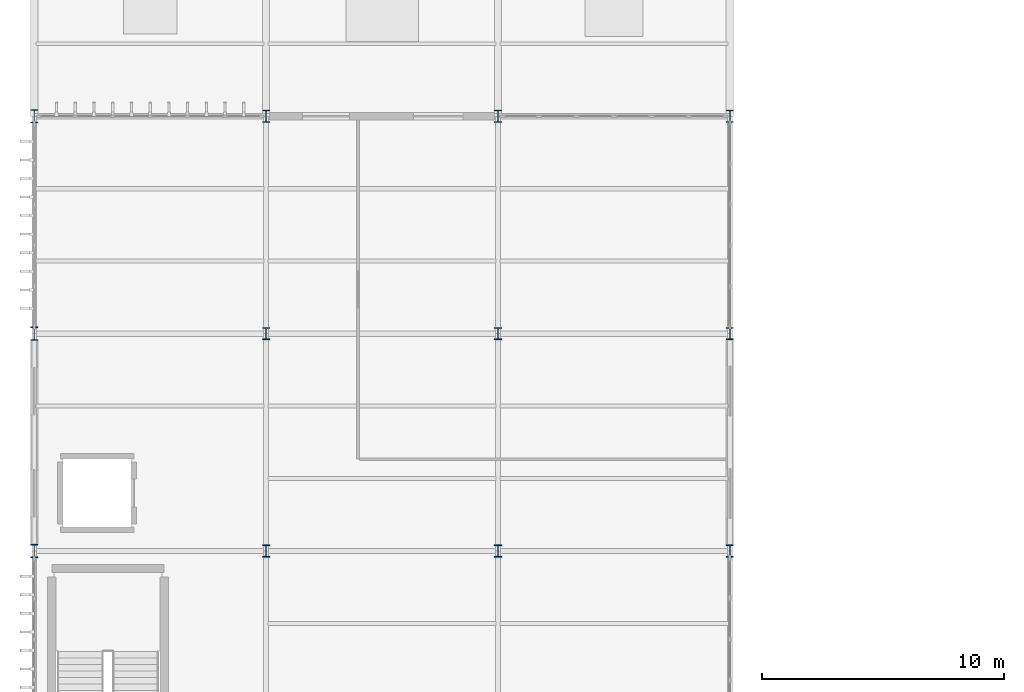
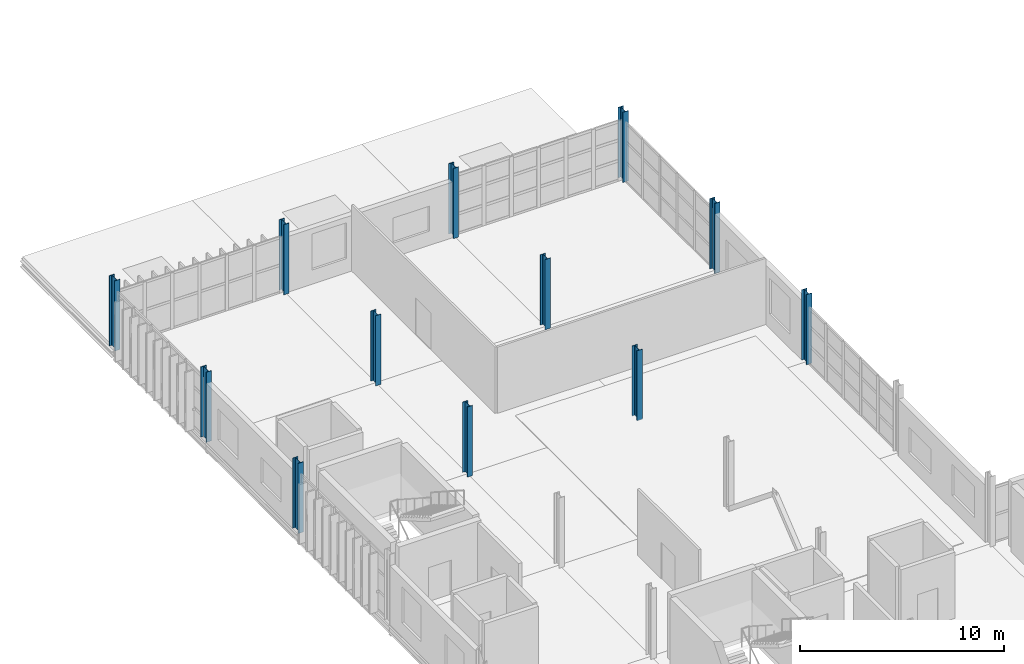
# One storey, part 3 of 52: 12 columns.
"""IFC4 building model written with IfcOpenShell, lengths in metres."""

from ifc_helpers import new_model, si_unit, direction, frame, origin, origin_2d, place, context, subcontext, project, spatial, i_section, extrude, material, material_profile, profile_set, type_object, element, save


model = new_model("IFC4")

# Units and contexts
model_context = context("Model", 3, precision=1e-05, world=origin(), true_north=direction((0.0, 1.0)))
body_context = subcontext(model_context, "Body", "Model", "MODEL_VIEW")
ifc_project = project(units=[si_unit("LENGTHUNIT", "METRE"), si_unit("AREAUNIT", "SQUARE_METRE"), si_unit("VOLUMEUNIT", "CUBIC_METRE"), si_unit("PLANEANGLEUNIT", "RADIAN"), si_unit("MASSUNIT", "GRAM", prefix="KILO")], contexts=[model_context])

# Site, building, storey
site_placement = place(None, origin())
site = spatial("IfcSite", under=ifc_project, at=site_placement, CompositionType="ELEMENT")
building_placement = place(site_placement, origin())
building = spatial("IfcBuilding", under=site, at=building_placement, Name="Zarnetskaya Central Station", CompositionType="ELEMENT")
storey_placement = place(building_placement, frame((0.0, 0.0, 14.39990234375)))
storey = spatial("IfcBuildingStorey", under=building, at=storey_placement, Name="L03", CompositionType="ELEMENT", Elevation=14.39990234375)

# Columns
ifc_material = material(Name="Steel S355", Category="steel")
ifc_material_profile_1 = material_profile(ifc_material, i_section(OverallWidth=0.300048828125, OverallDepth=0.550048828125, WebThickness=0.014892578125, FlangeThickness=0.029052734375, FilletRadius=0.027099609375, at=origin_2d()), Name="HEB 550")
ifc_profile_set_1 = profile_set([ifc_material_profile_1], Name="Steel S355")
column_type_1 = type_object("IfcColumnType", Name="COL-V5-MID-E", PredefinedType="COLUMN", material=ifc_profile_set_1)
for number, where, z_axis, x_axis, name in (
    (1, (0.0, 40.199951171875, 0.0), (0.0, 0.0, 1.0), (1.0, 0.0, 0.0), "Column A6 L03"),
    (2, (0.0, 49.199951171875, 0.0), (0.0, 0.0, 1.0), (1.0, 0.0, 0.0), "Column A7 L03"),
    (3, (0.0, 58.199951171875, 0.0), (0.0, 0.0, 1.0), (1.0, 0.0, 0.0), "Column A8 L03"),
):
    element("IfcColumn", number, at=place(storey_placement, frame(where, z_axis=z_axis, x_axis=x_axis)), inside=storey, type_object=column_type_1, Name=name, PredefinedType="COLUMN", context=body_context, shape_type="SweptSolid", body=[
        extrude(i_section(OverallWidth=0.300048828125, OverallDepth=0.550048828125, WebThickness=0.014892578125, FlangeThickness=0.029052734375, FilletRadius=0.027099609375, at=origin_2d()), origin(), (0.0, 0.0, 1.0), 4.2001953125),
    ])
ifc_material_profile_2 = material_profile(ifc_material, i_section(OverallWidth=0.300048828125, OverallDepth=0.5, WebThickness=0.014404296875, FlangeThickness=0.028076171875, FilletRadius=0.027099609375, at=origin_2d()), Name="HEB 500")
ifc_profile_set_2 = profile_set([ifc_material_profile_2], Name="Steel S355")
column_type_2 = type_object("IfcColumnType", Name="COL-V5-MID-I", PredefinedType="COLUMN", material=ifc_profile_set_2)
for number, where, z_axis, x_axis, name in (
    (4, (9.60009765625, 40.199951171875, 0.0), (0.0, 0.0, 1.0), (1.0, 0.0, 0.0), "Column B6 L03"),
    (5, (9.60009765625, 49.199951171875, 0.0), (0.0, 0.0, 1.0), (1.0, 0.0, 0.0), "Column B7 L03"),
    (6, (9.60009765625, 58.199951171875, 0.0), (0.0, 0.0, 1.0), (1.0, 0.0, 0.0), "Column B8 L03"),
    (7, (19.199951171875, 40.199951171875, 0.0), (0.0, 0.0, 1.0), (1.0, 0.0, 0.0), "Column C6 L03"),
    (8, (19.199951171875, 49.199951171875, 0.0), (0.0, 0.0, 1.0), (1.0, 0.0, 0.0), "Column C7 L03"),
    (9, (19.199951171875, 58.199951171875, 0.0), (0.0, 0.0, 1.0), (1.0, 0.0, 0.0), "Column C8 L03"),
    (10, (28.800048828125, 40.199951171875, 0.0), (0.0, 0.0, 1.0), (1.0, 0.0, 0.0), "Column D6 L03"),
    (11, (28.800048828125, 49.199951171875, 0.0), (0.0, 0.0, 1.0), (1.0, 0.0, 0.0), "Column D7 L03"),
    (12, (28.800048828125, 58.199951171875, 0.0), (0.0, 0.0, 1.0), (1.0, 0.0, 0.0), "Column D8 L03"),
):
    element("IfcColumn", number, at=place(storey_placement, frame(where, z_axis=z_axis, x_axis=x_axis)), inside=storey, type_object=column_type_2, Name=name, PredefinedType="COLUMN", context=body_context, shape_type="SweptSolid", body=[
        extrude(i_section(OverallWidth=0.300048828125, OverallDepth=0.5, WebThickness=0.014404296875, FlangeThickness=0.028076171875, FilletRadius=0.027099609375, at=origin_2d()), origin(), (0.0, 0.0, 1.0), 4.2001953125),
    ])

save(model, "model.ifc")
